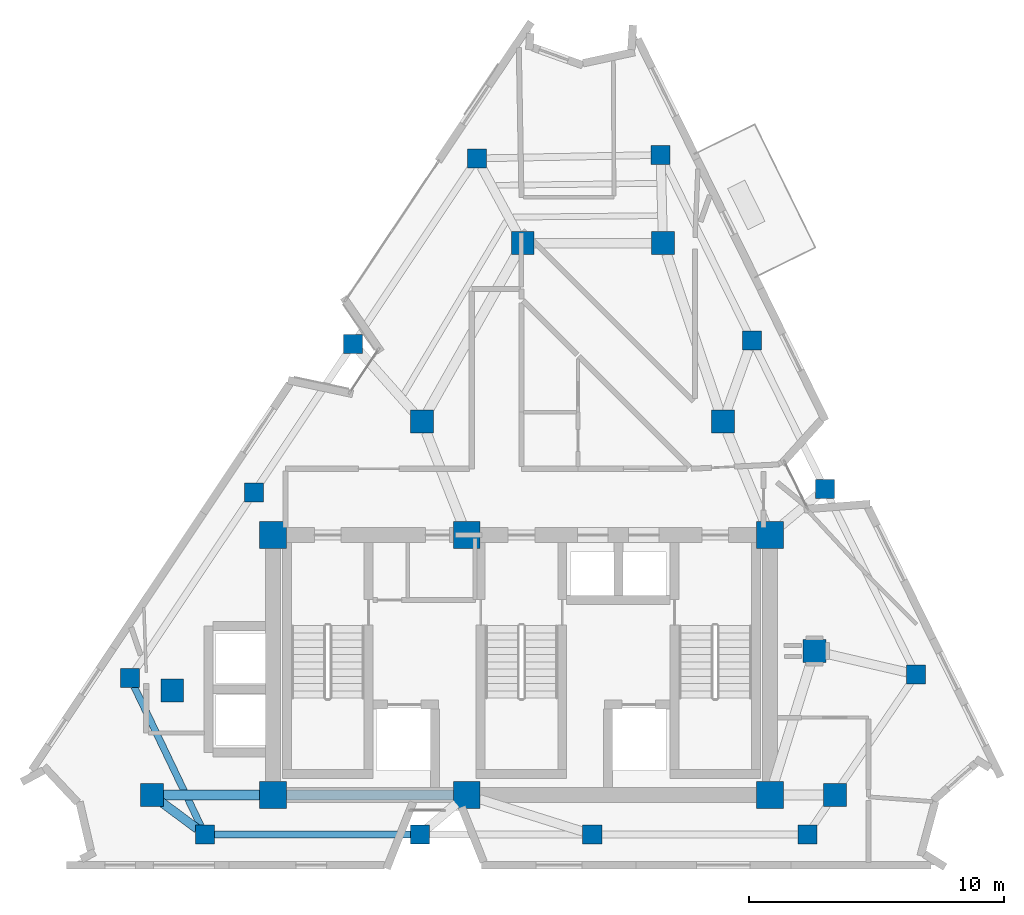
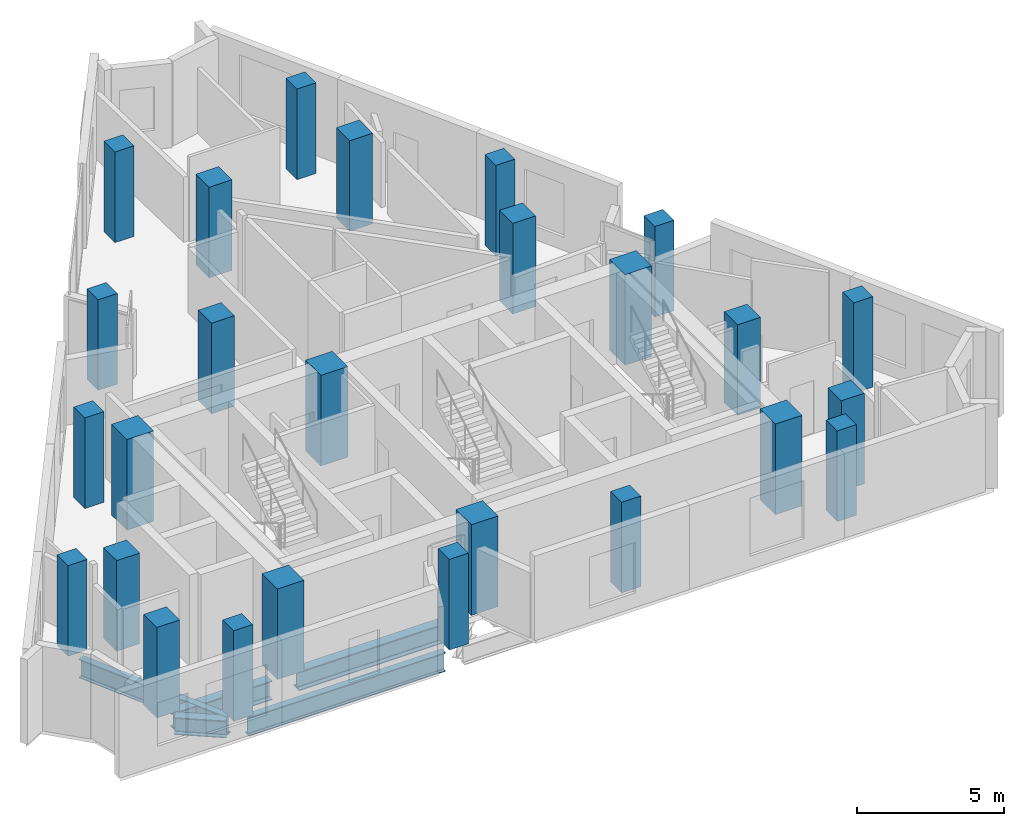
# One storey, part 1 of 8: 26 columns, 5 beams.
"""IFC4 building model written with IfcOpenShell, lengths in metres."""

from ifc_helpers import new_model, si_unit, direction, frame, origin, origin_2d, place, context, subcontext, project, spatial, rectangle, i_section, extrude, material, material_profile, profile_set, type_object, element, save


model = new_model("IFC4")

# Units and contexts
model_context = context("Model", 3, precision=1e-05, world=origin(), true_north=direction((0.0, 1.0)))
body_context = subcontext(model_context, "Body", "Model", "MODEL_VIEW")
ifc_project = project(units=[si_unit("LENGTHUNIT", "METRE"), si_unit("AREAUNIT", "SQUARE_METRE"), si_unit("VOLUMEUNIT", "CUBIC_METRE"), si_unit("PLANEANGLEUNIT", "RADIAN"), si_unit("MASSUNIT", "GRAM", prefix="KILO")], contexts=[model_context])

# Site, building, storey
site_placement = place(None, origin())
site = spatial("IfcSite", under=ifc_project, at=site_placement, CompositionType="ELEMENT")
building_placement = place(site_placement, origin())
building = spatial("IfcBuilding", under=site, at=building_placement, Name="Almagre Mirador Tower", CompositionType="ELEMENT")
storey_placement = place(building_placement, frame((0.0, 0.0, 274.5)))
storey = spatial("IfcBuildingStorey", under=building, at=storey_placement, Name="L71", CompositionType="ELEMENT", Elevation=274.5)

# Columns
ifc_material_1 = material(Name="Concrete C60/75", Category="concrete")
ifc_material_profile_1 = material_profile(ifc_material_1, rectangle(XDim=1.050048828125, YDim=1.050048828125, at=origin_2d()), Name="RC1050X1050")
ifc_profile_set_1 = profile_set([ifc_material_profile_1], Name="Concrete C60/75")
column_type_1 = type_object("IfcColumnType", Name="COL-RC1050", PredefinedType="COLUMN", material=ifc_profile_set_1)
for number, where, z_axis, x_axis, name in (
    (1, (27.550048828125, 4.550048828125, 0.0), (0.0, 0.0, 1.0), (1.0, 0.0, 0.0), "L71 core spine column CC1"),
    (2, (35.14990234375, 4.550048828125, 0.0), (0.0, 0.0, 1.0), (1.0, 0.0, 0.0), "L71 core spine column CC2"),
    (3, (47.050048828125, 4.550048828125, 0.0), (0.0, 0.0, 1.0), (1.0, 0.0, 0.0), "L71 core spine column CC3"),
    (4, (27.550048828125, 14.75, 0.0), (0.0, 0.0, 1.0), (1.0, 0.0, 0.0), "L71 core spine column CC4"),
    (5, (35.14990234375, 14.75, 0.0), (0.0, 0.0, 1.0), (1.0, 0.0, 0.0), "L71 core spine column CC5"),
    (6, (47.050048828125, 14.75, 0.0), (0.0, 0.0, 1.0), (1.0, 0.0, 0.0), "L71 core spine column CC6"),
):
    element("IfcColumn", number, at=place(storey_placement, frame(where, z_axis=z_axis, x_axis=x_axis)), inside=storey, type_object=column_type_1, Name=name, PredefinedType="COLUMN", context=body_context, shape_type="SweptSolid", body=[
        extrude(rectangle(XDim=1.050048828125, YDim=1.050048828125, at=origin_2d()), origin(), (0.0, 0.0, 1.0), 3.75),
    ])
ifc_material_2 = material(Name="Concrete C60/75", Category="concrete")
ifc_material_profile_2 = material_profile(ifc_material_2, rectangle(XDim=0.75, YDim=0.75, at=origin_2d()), Name="RC750X750")
ifc_profile_set_2 = profile_set([ifc_material_profile_2], Name="Concrete C60/75")
column_type_2 = type_object("IfcColumnType", Name="COL-RC750", PredefinedType="COLUMN", material=ifc_profile_set_2)
for number, where, z_axis, x_axis, name in (
    (7, (24.884033203125, 3.0, 0.0), (0.0, 0.0, 1.0), (1.0, 0.0, 0.0), "L71 perimeter column PC01"),
    (8, (33.323974609375, 3.0, 0.0), (0.0, 0.0, 1.0), (1.0, 0.0, 0.0), "L71 perimeter column PC02"),
    (9, (40.075927734375, 3.0, 0.0), (0.0, 0.0, 1.0), (1.0, 0.0, 0.0), "L71 perimeter column PC03"),
    (10, (48.51611328125, 3.0, 0.0), (0.0, 0.0, 1.0), (1.0, 0.0, 0.0), "L71 perimeter column PC04"),
    (11, (52.784912109375, 9.278076171875, 0.0), (0.0, 0.0, 1.0), (1.0, 0.0, 0.0), "L71 perimeter column PC05"),
    (12, (49.205078125, 16.55810546875, 0.0), (0.0, 0.0, 1.0), (1.0, 0.0, 0.0), "L71 perimeter column PC06"),
    (13, (46.341064453125, 22.382080078125, 0.0), (0.0, 0.0, 1.0), (1.0, 0.0, 0.0), "L71 perimeter column PC07"),
    (14, (42.760986328125, 29.662109375, 0.0), (0.0, 0.0, 1.0), (1.0, 0.0, 0.0), "L71 perimeter column PC08"),
    (15, (35.552001953125, 29.52587890625, 0.0), (0.0, 0.0, 1.0), (1.0, 0.0, 0.0), "L71 perimeter column PC09"),
    (16, (30.69189453125, 22.24609375, 0.0), (0.0, 0.0, 1.0), (1.0, 0.0, 0.0), "L71 perimeter column PC10"),
    (17, (26.803955078125, 16.422119140625, 0.0), (0.0, 0.0, 1.0), (1.0, 0.0, 0.0), "L71 perimeter column PC11"),
    (18, (21.944091796875, 9.14208984375, 0.0), (0.0, 0.0, 1.0), (1.0, 0.0, 0.0), "L71 perimeter column PC12"),
):
    element("IfcColumn", number, at=place(storey_placement, frame(where, z_axis=z_axis, x_axis=x_axis)), inside=storey, type_object=column_type_2, Name=name, PredefinedType="COLUMN", context=body_context, shape_type="SweptSolid", body=[
        extrude(rectangle(XDim=0.75, YDim=0.75, at=origin_2d()), origin(), (0.0, 0.0, 1.0), 3.75),
    ])
ifc_material_3 = material(Name="Concrete C60/75", Category="concrete")
ifc_material_profile_3 = material_profile(ifc_material_3, rectangle(XDim=0.89990234375, YDim=0.89990234375, at=origin_2d()), Name="RC900X900")
ifc_profile_set_3 = profile_set([ifc_material_profile_3], Name="Concrete C60/75")
column_type_3 = type_object("IfcColumnType", Name="COL-RC900", PredefinedType="COLUMN", material=ifc_profile_set_3)
for number, where, z_axis, x_axis, name in (
    (19, (22.800048828125, 4.550048828125, 0.0), (0.0, 0.0, 1.0), (1.0, 0.0, 0.0), "L71 interior transfer column MC1"),
    (20, (49.60009765625, 4.550048828125, 0.0), (0.0, 0.0, 1.0), (1.0, 0.0, 0.0), "L71 interior transfer column MC2"),
    (21, (48.800048828125, 10.199951171875, 0.0), (0.0, 0.0, 1.0), (1.0, 0.0, 0.0), "L71 interior transfer column MC3"),
    (22, (45.199951171875, 19.199951171875, 0.0), (0.0, 0.0, 1.0), (1.0, 0.0, 0.0), "L71 interior transfer column MC5"),
    (23, (42.85009765625, 26.199951171875, 0.0), (0.0, 0.0, 1.0), (1.0, 0.0, 0.0), "L71 interior transfer column MC6"),
    (24, (37.35009765625, 26.199951171875, 0.0), (0.0, 0.0, 1.0), (1.0, 0.0, 0.0), "L71 interior transfer column MC7"),
    (25, (33.39990234375, 19.199951171875, 0.0), (0.0, 0.0, 1.0), (1.0, 0.0, 0.0), "L71 interior transfer column MC8"),
    (26, (23.60009765625, 8.64990234375, 0.0), (0.0, 0.0, 1.0), (1.0, 0.0, 0.0), "L71 interior transfer column MC10"),
):
    element("IfcColumn", number, at=place(storey_placement, frame(where, z_axis=z_axis, x_axis=x_axis)), inside=storey, type_object=column_type_3, Name=name, PredefinedType="COLUMN", context=body_context, shape_type="SweptSolid", body=[
        extrude(rectangle(XDim=0.89990234375, YDim=0.89990234375, at=origin_2d()), origin(), (0.0, 0.0, 1.0), 3.75),
    ])

# Beams
ifc_material_4 = material(Name="Steel ASTM A992 Grade 50", Category="steel")
ifc_material_profile_4 = material_profile(ifc_material_4, i_section(OverallWidth=0.26708984375, OverallDepth=0.779052734375, WebThickness=0.0166015625, FlangeThickness=0.030029296875, FilletRadius=0.02392578125, at=origin_2d()), Name="W30X148")
ifc_profile_set_4 = profile_set([ifc_material_profile_4], Name="Steel ASTM A992 Grade 50")
beam_type_1 = type_object("IfcBeamType", Name="BM-SPN-W30X148", PredefinedType="SPANDREL", material=ifc_profile_set_4)
beam_1_placement = place(storey_placement, frame((25.259033203125, 3.0, -0.639404296875), z_axis=(1.0, 0.0, 0.0), x_axis=(0.0, 1.0, 0.0)))
element("IfcBeam", 27, at=beam_1_placement, inside=storey, type_object=beam_type_1, Name="L71 perimeter spandrel beam PC01-PC02", PredefinedType="SPANDREL", context=body_context, shape_type="SweptSolid", body=[
    extrude(i_section(OverallWidth=0.26708984375, OverallDepth=0.779052734375, WebThickness=0.0166015625, FlangeThickness=0.030029296875, FilletRadius=0.02392578125, at=origin_2d()), origin(), (0.0, 0.0, 1.0), 7.68994140625),
])
beam_2_placement = place(storey_placement, frame((22.10595703125, 8.8037109375, -0.639404296875), z_axis=(0.431756290683, -0.901990302307, 0.0), x_axis=(0.901990302307, 0.431756290683, 0.0)))
element("IfcBeam", 28, at=beam_2_placement, inside=storey, type_object=beam_type_1, Name="L71 perimeter spandrel beam PC12-PC01", PredefinedType="SPANDREL", context=body_context, shape_type="SweptSolid", body=[
    extrude(i_section(OverallWidth=0.26708984375, OverallDepth=0.779052734375, WebThickness=0.0166015625, FlangeThickness=0.030029296875, FilletRadius=0.02392578125, at=origin_2d()), origin(), (0.0, 0.0, 1.0), 6.0595703125),
])
ifc_material_5 = material(Name="Steel ASTM A992 Grade 50", Category="steel")
ifc_material_profile_5 = material_profile(ifc_material_5, i_section(OverallWidth=0.35791015625, OverallDepth=0.7060546875, WebThickness=0.018310546875, FlangeThickness=0.0302734375, FilletRadius=0.02197265625, at=origin_2d()), Name="W27X178")
ifc_profile_set_5 = profile_set([ifc_material_profile_5], Name="Steel ASTM A992 Grade 50")
beam_type_2 = type_object("IfcBeamType", Name="BM-STL-W27X178", PredefinedType="BEAM", material=ifc_profile_set_5)
beam_3_placement = place(storey_placement, frame((24.5830078125, 3.223876953125, -0.60302734375), z_axis=(-0.802374373866, 0.596821048693, 0.0), x_axis=(-0.596821048693, -0.802374373866, 0.0)))
element("IfcBeam", 29, at=beam_3_placement, inside=storey, type_object=beam_type_2, Name="L71 radial floor girder PC01-MC1", PredefinedType="BEAM", context=body_context, shape_type="SweptSolid", body=[
    extrude(i_section(OverallWidth=0.35791015625, OverallDepth=0.7060546875, WebThickness=0.018310546875, FlangeThickness=0.0302734375, FilletRadius=0.02197265625, at=origin_2d()), origin(), (0.0, 0.0, 1.0), 1.77197265625),
])
ifc_material_6 = material(Name="Steel ASTM A992 Grade 50", Category="steel")
ifc_material_profile_6 = material_profile(ifc_material_6, i_section(OverallWidth=0.384033203125, OverallDepth=0.784912109375, WebThickness=0.019775390625, FlangeThickness=0.033447265625, FilletRadius=0.02392578125, at=origin_2d()), Name="W30X211")
ifc_profile_set_6 = profile_set([ifc_material_profile_6], Name="Steel ASTM A992 Grade 50")
beam_type_3 = type_object("IfcBeamType", Name="BM-STL-W30X211", PredefinedType="BEAM", material=ifc_profile_set_6)
beam_4_placement = place(storey_placement, frame((28.074951171875, 4.550048828125, -0.642578125), z_axis=(1.0, 0.0, 0.0), x_axis=(0.0, 1.0, 0.0)))
element("IfcBeam", 30, at=beam_4_placement, inside=storey, type_object=beam_type_3, Name="L71 core tie girder CC1-CC2", PredefinedType="BEAM", context=body_context, shape_type="SweptSolid", body=[
    extrude(i_section(OverallWidth=0.384033203125, OverallDepth=0.784912109375, WebThickness=0.019775390625, FlangeThickness=0.033447265625, FilletRadius=0.02392578125, at=origin_2d()), origin(), (0.0, 0.0, 1.0), 6.550048828125),
])
beam_5_placement = place(storey_placement, frame((23.25, 4.550048828125, -0.642578125), z_axis=(1.0, 0.0, 0.0), x_axis=(0.0, 1.0, 0.0)))
element("IfcBeam", 31, at=beam_5_placement, inside=storey, type_object=beam_type_3, Name="L71 core tie girder MC1-CC1", PredefinedType="BEAM", context=body_context, shape_type="SweptSolid", body=[
    extrude(i_section(OverallWidth=0.384033203125, OverallDepth=0.784912109375, WebThickness=0.019775390625, FlangeThickness=0.033447265625, FilletRadius=0.02392578125, at=origin_2d()), origin(), (0.0, 0.0, 1.0), 3.77490234375),
])

save(model, "model.ifc")
